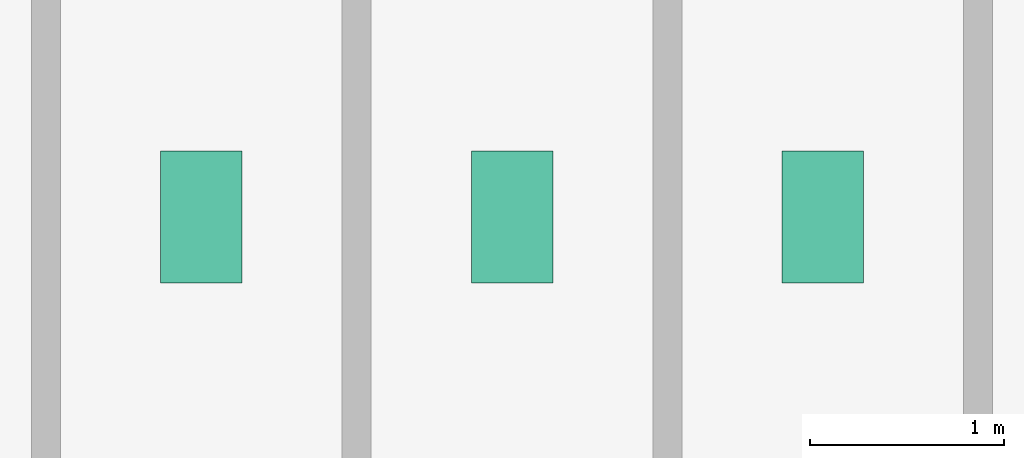
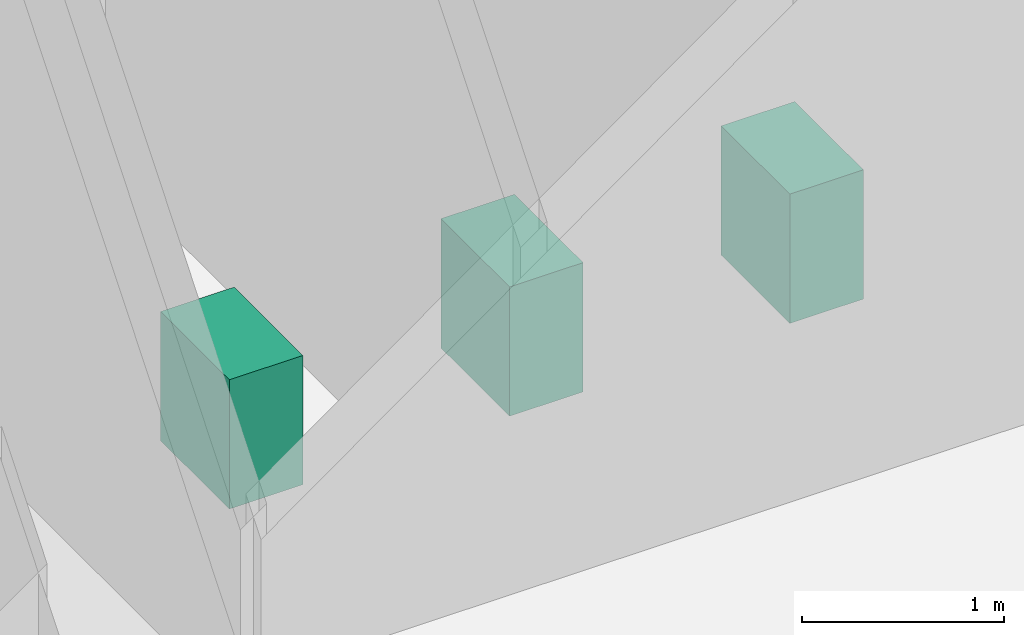
# One storey, part 26 of 26: 3 sanitary terminals.
"""IFC4 building model written with IfcOpenShell, lengths in metres."""

from ifc_helpers import new_model, si_unit, derived_unit, direction, frame, origin, origin_2d, place, context, subcontext, project, spatial, rectangle, extrude, source, transform, mapped, material, type_object, element, save


model = new_model("IFC4")

# Units and contexts
model_context = context("Model", 3, precision=1e-05, world=origin(), true_north=direction((0.0, 1.0)))
body_context = subcontext(model_context, "Body", "Model", "MODEL_VIEW")
ifc_project = project(units=[si_unit("LENGTHUNIT", "METRE"), si_unit("AREAUNIT", "SQUARE_METRE"), si_unit("VOLUMEUNIT", "CUBIC_METRE"), si_unit("PLANEANGLEUNIT", "RADIAN"), si_unit("MASSUNIT", "GRAM", prefix="KILO"), derived_unit("THERMALTRANSMITTANCEUNIT", [(si_unit("POWERUNIT", "WATT"), 1), (si_unit("LENGTHUNIT", "METRE"), -2), (si_unit("THERMODYNAMICTEMPERATUREUNIT", "KELVIN"), -1)])], contexts=[model_context])

# Site, building, storey
site_placement = place(None, origin())
site = spatial("IfcSite", under=ifc_project, at=site_placement, CompositionType="ELEMENT")
building_placement = place(site_placement, origin())
building = spatial("IfcBuilding", under=site, at=building_placement, Name="Skarnbrae Concourse Arena and Tower", CompositionType="ELEMENT")
storey_placement = place(building_placement, frame((0.0, 0.0, 99.60009765625)))
storey = spatial("IfcBuildingStorey", under=building, at=storey_placement, Name="L24", CompositionType="ELEMENT", Elevation=99.60009765625)

# Sanitary terminals
ifc_material = material(Name="Vitreous china sanitaryware", Category="other")
sanitary_terminal_type = type_object("IfcSanitaryTerminalType", Name="SAN-WC-VITREOUS", PredefinedType="TOILETPAN", material=ifc_material)
shared_shape = source(origin(), body_context, "Body", "SweptSolid", [
    extrude(rectangle(XDim=0.419921875, YDim=0.679931640625, at=origin_2d()), origin(), (0.0, 0.0, 1.0), 0.780029296875),
])
for number, where, z_axis, x_axis, name in (
    (1, (35.0, 11.39990234375, 0.0), (0.0, 0.0, 1.0), (1.0, 0.0, 0.0), "L24 Washroom WC fixture 1"),
    (2, (36.60009765625, 11.39990234375, 0.0), (0.0, 0.0, 1.0), (1.0, 0.0, 0.0), "L24 Washroom WC fixture 2"),
    (3, (38.199951171875, 11.39990234375, 0.0), (0.0, 0.0, 1.0), (1.0, 0.0, 0.0), "L24 Washroom WC fixture 3"),
):
    element("IfcSanitaryTerminal", number, at=place(storey_placement, frame(where, z_axis=z_axis, x_axis=x_axis)), inside=storey, type_object=sanitary_terminal_type, Name=name, PredefinedType="TOILETPAN", context=body_context, shape_type="MappedRepresentation", body=[
        mapped(shared_shape, transform((0.0, 0.0, 0.0))),
    ])

save(model, "model.ifc")
